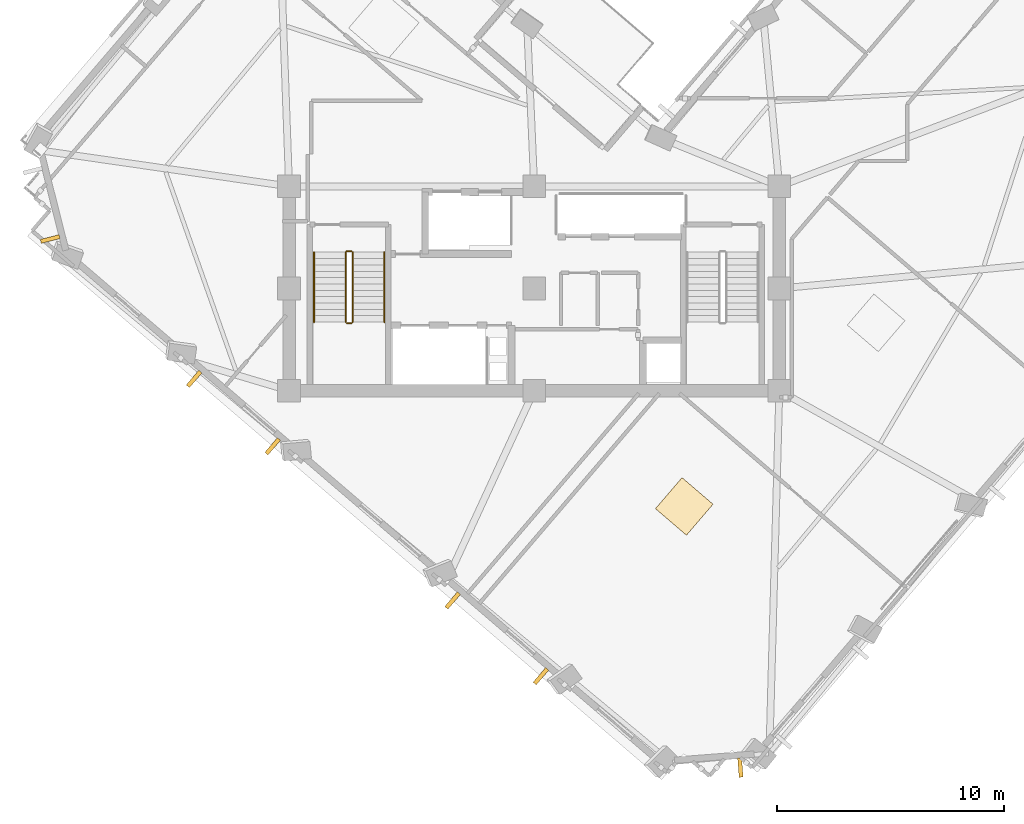
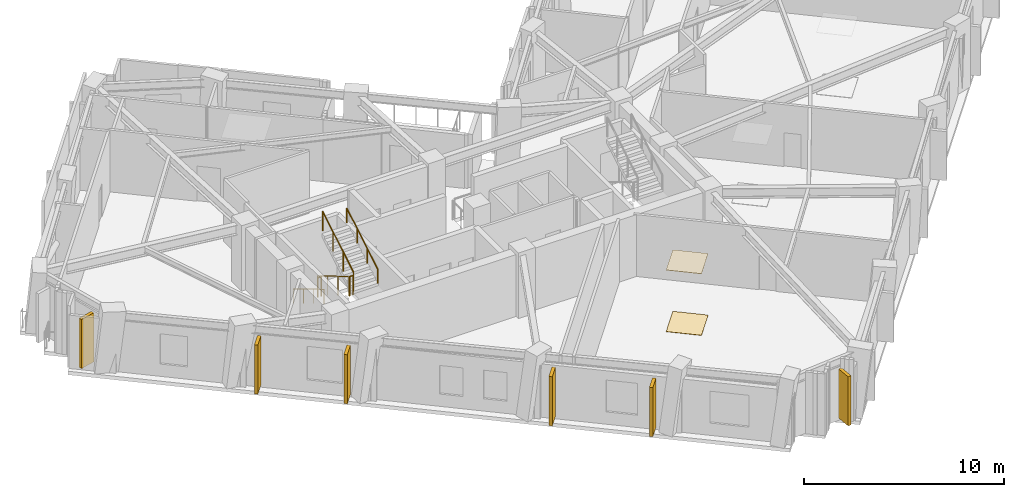
# One storey, part 9 of 12: 6 railings, 6 shading devices, 2 coverings.
"""IFC4 building model written with IfcOpenShell, lengths in metres."""

from ifc_helpers import new_model, si_unit, direction, frame, origin, origin_2d, place, context, subcontext, project, spatial, rectangle, circle, extrude, material, layer, layer_set, type_object, element, save


model = new_model("IFC4")

# Units and contexts
model_context = context("Model", 3, precision=1e-05, world=origin(), true_north=direction((0.0, 1.0)))
body_context = subcontext(model_context, "Body", "Model", "MODEL_VIEW")
ifc_project = project(units=[si_unit("LENGTHUNIT", "METRE"), si_unit("AREAUNIT", "SQUARE_METRE"), si_unit("VOLUMEUNIT", "CUBIC_METRE"), si_unit("PLANEANGLEUNIT", "RADIAN"), si_unit("MASSUNIT", "GRAM", prefix="KILO")], contexts=[model_context])

# Site, building, storey
site_placement = place(None, origin())
site = spatial("IfcSite", under=ifc_project, at=site_placement, CompositionType="ELEMENT")
building_placement = place(site_placement, origin())
building = spatial("IfcBuilding", under=site, at=building_placement, Name="Gaonmaruhae Medical Tower", CompositionType="ELEMENT")
storey_placement = place(building_placement, frame((0.0, 0.0, 235.199951171875)))
storey = spatial("IfcBuildingStorey", under=building, at=storey_placement, Name="L56", CompositionType="ELEMENT", Elevation=235.199951171875)

# Coverings
ifc_material_1 = material(Name="Acoustic mineral ceiling tile", Category="finish")
ifc_layer_1 = layer(ifc_material_1, 0.02490234375)
ifc_layer_set_1 = layer_set([ifc_layer_1], Name="Acoustic mineral ceiling tile")
covering_type_1 = type_object("IfcCoveringType", Name="CLG-01 Antimicrobial Acoustic Mineral Ceiling", PredefinedType="CEILING", material=ifc_layer_set_1)
covering_1_placement = place(storey_placement, frame((31.410400390625, 2.697998046875, 3.755126953125), z_axis=(0.0, 0.0, 1.0), x_axis=(0.650774217266, 0.759271307335, 0.0)))
element("IfcCovering", 1, at=covering_1_placement, inside=storey, type_object=covering_type_1, Name="L56 Clinical Room Acoustic Ceiling 2", PredefinedType="CEILING", context=body_context, shape_type="SweptSolid", body=[
    extrude(rectangle(XDim=1.800048828125, YDim=1.800048828125, at=origin_2d()), origin(), (0.0, 0.0, 1.0), 0.02490234375),
])
ifc_material_2 = material(Name="Seamless clinical vinyl flooring", Category="finish")
ifc_layer_2 = layer(ifc_material_2, 0.014892578125)
ifc_layer_set_2 = layer_set([ifc_layer_2], Name="Seamless clinical vinyl flooring")
covering_type_2 = type_object("IfcCoveringType", Name="FLR-01 Seamless Clinical Antistatic Vinyl Flooring", PredefinedType="FLOORING", material=ifc_layer_set_2)
covering_2_placement = place(storey_placement, frame((31.410400390625, 2.697998046875, 0.0), z_axis=(0.0, 0.0, 1.0), x_axis=(0.650774217266, 0.759271307335, 0.0)))
element("IfcCovering", 2, at=covering_2_placement, inside=storey, type_object=covering_type_2, Name="L56 Clinical Room Vinyl Flooring 2", PredefinedType="FLOORING", context=body_context, shape_type="SweptSolid", body=[
    extrude(rectangle(XDim=1.800048828125, YDim=1.800048828125, at=origin_2d()), origin(), (0.0, 0.0, 1.0), 0.014892578125),
])

# Railings
ifc_material_3 = material(Name="Stainless steel 304 handrail", Category="steel")
railing_type_1 = type_object("IfcRailingType", Name="HR-092 Continuous Stainless Steel Stair Handrail", PredefinedType="HANDRAIL", material=ifc_material_3)
railing_1_placement = place(storey_placement, frame((15.10009765625, 13.89990234375, 0.166748046875)))
element("IfcRailing", 3, at=railing_1_placement, inside=storey, type_object=railing_type_1, Name="L56 ST-01 stair handrail 1", PredefinedType="HANDRAIL", context=body_context, shape_type="SweptSolid", body=[
    extrude(circle(Radius=0.02392578125, at=origin_2d()), frame((0.0, 0.0, 0.8759765625), z_axis=(0.0, -0.859290745958, 0.51148745235), x_axis=(1.0, 0.0, 0.0)), (0.0, 0.0, 1.0), 3.584228515625),
    extrude(circle(Radius=0.02099609375, at=origin_2d()), origin(), (0.0, 0.0, 1.0), 0.851806640625),
    extrude(circle(Radius=0.02099609375, at=origin_2d()), frame((0.0, -1.026611328125, 0.611083984375)), (0.0, 0.0, 1.0), 0.851806640625),
    extrude(circle(Radius=0.02099609375, at=origin_2d()), frame((0.0, -2.05322265625, 1.22216796875)), (0.0, 0.0, 1.0), 0.851806640625),
    extrude(circle(Radius=0.02099609375, at=origin_2d()), frame((0.0, -3.079833984375, 1.833251953125)), (0.0, 0.0, 1.0), 0.851806640625),
])
railing_2_placement = place(storey_placement, frame((18.199951171875, 10.820068359375, 2.166748046875)))
element("IfcRailing", 4, at=railing_2_placement, inside=storey, type_object=railing_type_1, Name="L56 ST-01 stair handrail 2", PredefinedType="HANDRAIL", context=body_context, shape_type="SweptSolid", body=[
    extrude(circle(Radius=0.02392578125, at=origin_2d()), frame((0.0, 0.0, 0.8759765625), z_axis=(0.0, 0.859290745958, 0.51148745235), x_axis=(-1.0, 0.0, 0.0)), (0.0, 0.0, 1.0), 3.584228515625),
    extrude(circle(Radius=0.02099609375, at=origin_2d()), origin(), (0.0, 0.0, 1.0), 0.851806640625),
    extrude(circle(Radius=0.02099609375, at=origin_2d()), frame((0.0, 1.026611328125, 0.611083984375)), (0.0, 0.0, 1.0), 0.851806640625),
    extrude(circle(Radius=0.02099609375, at=origin_2d()), frame((0.0, 2.05322265625, 1.22216796875)), (0.0, 0.0, 1.0), 0.851806640625),
    extrude(circle(Radius=0.02099609375, at=origin_2d()), frame((0.0, 3.079833984375, 1.833251953125)), (0.0, 0.0, 1.0), 0.851806640625),
])

# Shading devices
ifc_material_4 = material(Name="Pigmented coral precast concrete C45/55", Category="concrete")
shading_device_type = type_object("IfcShadingDeviceType", Name="SD-FIN1 Tower Vertical Coral Precast Shading Fin", PredefinedType="USERDEFINED", material=ifc_material_4)
for number, where, z_axis, x_axis, name in (
    (5, (3.473876953125, 14.480224609375, 0.132568359375), (0.0, 0.0, 1.0), (-0.245002813539, 0.969522367642, 0.0), "L56 Vertical Coral Precast Shading Fin N03"),
    (6, (13.27880859375, 5.3466796875, 0.132568359375), (0.0, 0.0, 1.0), (-0.759271307335, 0.650774217266, 0.0), "L56 Vertical Coral Precast Shading Fin W02"),
    (7, (9.81591796875, 8.314697265625, 0.132568359375), (0.0, 0.0, 1.0), (-0.759271307335, 0.650774217266, 0.0), "L56 Vertical Coral Precast Shading Fin W02B"),
    (8, (25.09716796875, -4.783203125, 0.132568359375), (0.0, 0.0, 1.0), (-0.759271307335, 0.650774217266, 0.0), "L56 Vertical Coral Precast Shading Fin W04"),
    (9, (21.205810546875, -1.44775390625, 0.132568359375), (0.0, 0.0, 1.0), (-0.759271307335, 0.650774217266, 0.0), "L56 Vertical Coral Precast Shading Fin W04B"),
    (10, (33.885009765625, -8.80859375, 0.132568359375), (0.0, 0.0, 1.0), (-0.997051413075, -0.076736429968, 0.0), "L56 Vertical Coral Precast Shading Fin W06"),
):
    element("IfcShadingDevice", number, at=place(storey_placement, frame(where, z_axis=z_axis, x_axis=x_axis)), inside=storey, type_object=shading_device_type, Name=name, ObjectType="FIN", PredefinedType="USERDEFINED", context=body_context, shape_type="SweptSolid", body=[
        extrude(rectangle(XDim=0.179931640625, YDim=0.85009765625, at=origin_2d()), origin(), (0.0, 0.0, 1.0), 3.0),
    ])

# Railings
ifc_material_5 = material(Name="Stainless steel 304 balustrade", Category="steel")
railing_type_2 = type_object("IfcRailingType", Name="SG-112 Stair Well & Ramp Void Safety Balustrade", PredefinedType="BALUSTRADE", material=ifc_material_5)
railing_3_placement = place(storey_placement, frame((16.5, 13.89990234375, 0.166748046875)))
element("IfcRailing", 11, at=railing_3_placement, inside=storey, type_object=railing_type_2, Name="L56 ST-01 stair guard 1", PredefinedType="BALUSTRADE", context=body_context, shape_type="SweptSolid", body=[
    extrude(circle(Radius=0.02392578125, at=origin_2d()), frame((0.0, 0.0, 1.17578125), z_axis=(0.0, -0.859290745958, 0.51148745235), x_axis=(1.0, 0.0, 0.0)), (0.0, 0.0, 1.0), 3.584228515625),
    extrude(circle(Radius=0.02099609375, at=origin_2d()), origin(), (0.0, 0.0, 1.0), 1.15185546875),
    extrude(circle(Radius=0.02099609375, at=origin_2d()), frame((0.0, -1.026611328125, 0.611083984375)), (0.0, 0.0, 1.0), 1.15185546875),
    extrude(circle(Radius=0.02099609375, at=origin_2d()), frame((0.0, -2.05322265625, 1.22216796875)), (0.0, 0.0, 1.0), 1.15185546875),
    extrude(circle(Radius=0.02099609375, at=origin_2d()), frame((0.0, -3.079833984375, 1.833251953125)), (0.0, 0.0, 1.0), 1.15185546875),
])
railing_4_placement = place(storey_placement, frame((16.550048828125, 10.77001953125, 2.0)))
element("IfcRailing", 12, at=railing_4_placement, inside=storey, type_object=railing_type_2, Name="L56 ST-01 stair guard 2", PredefinedType="BALUSTRADE", context=body_context, shape_type="SweptSolid", body=[
    extrude(circle(Radius=0.02392578125, at=origin_2d()), frame((0.0, 0.0, 1.17578125), z_axis=(1.0, 0.0, 0.0), x_axis=(0.0, 1.0, 0.0)), (0.0, 0.0, 1.0), 0.199951171875),
    extrude(circle(Radius=0.02099609375, at=origin_2d()), origin(), (0.0, 0.0, 1.0), 1.15185546875),
    extrude(circle(Radius=0.02099609375, at=origin_2d()), frame((0.199951171875, 0.0, 0.0)), (0.0, 0.0, 1.0), 1.15185546875),
])
railing_5_placement = place(storey_placement, frame((16.800048828125, 10.820068359375, 2.166748046875)))
element("IfcRailing", 13, at=railing_5_placement, inside=storey, type_object=railing_type_2, Name="L56 ST-01 stair guard 3", PredefinedType="BALUSTRADE", context=body_context, shape_type="SweptSolid", body=[
    extrude(circle(Radius=0.02392578125, at=origin_2d()), frame((0.0, 0.0, 1.17578125), z_axis=(0.0, 0.859290745958, 0.51148745235), x_axis=(-1.0, 0.0, 0.0)), (0.0, 0.0, 1.0), 3.584228515625),
    extrude(circle(Radius=0.02099609375, at=origin_2d()), origin(), (0.0, 0.0, 1.0), 1.15185546875),
    extrude(circle(Radius=0.02099609375, at=origin_2d()), frame((0.0, 1.026611328125, 0.611083984375)), (0.0, 0.0, 1.0), 1.15185546875),
    extrude(circle(Radius=0.02099609375, at=origin_2d()), frame((0.0, 2.05322265625, 1.22216796875)), (0.0, 0.0, 1.0), 1.15185546875),
    extrude(circle(Radius=0.02099609375, at=origin_2d()), frame((0.0, 3.079833984375, 1.833251953125)), (0.0, 0.0, 1.0), 1.15185546875),
])
railing_6_placement = place(storey_placement, frame((16.550048828125, 13.949951171875, 0.0)))
element("IfcRailing", 14, at=railing_6_placement, inside=storey, type_object=railing_type_2, Name="L56 ST-01 stair guard 4", PredefinedType="BALUSTRADE", context=body_context, shape_type="SweptSolid", body=[
    extrude(circle(Radius=0.02392578125, at=origin_2d()), frame((0.0, 0.0, 1.17578125), z_axis=(1.0, 0.0, 0.0), x_axis=(0.0, 1.0, 0.0)), (0.0, 0.0, 1.0), 0.199951171875),
    extrude(circle(Radius=0.02099609375, at=origin_2d()), origin(), (0.0, 0.0, 1.0), 1.15185546875),
    extrude(circle(Radius=0.02099609375, at=origin_2d()), frame((0.199951171875, 0.0, 0.0)), (0.0, 0.0, 1.0), 1.15185546875),
])

save(model, "model.ifc")
